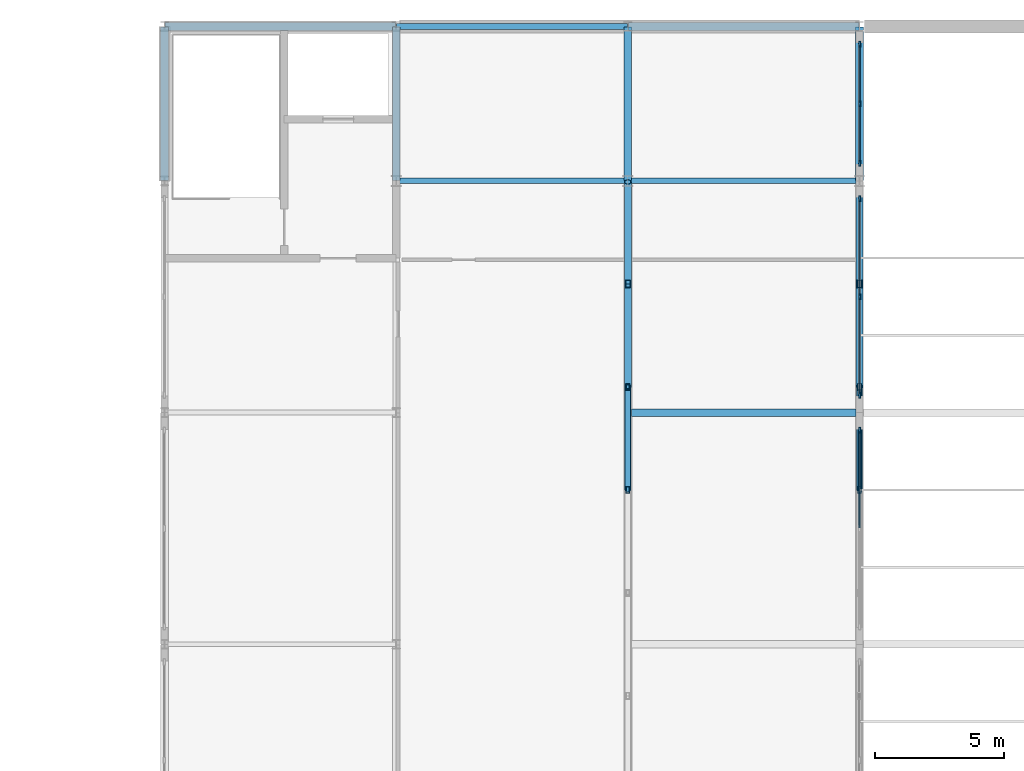
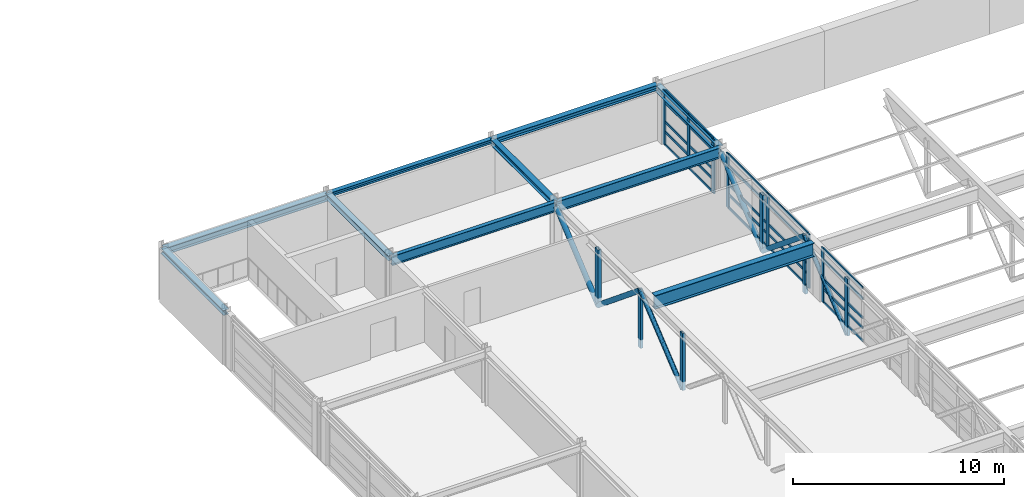
# One storey, part 48 of 91: 44 members, 10 beams, 3 elements without a shape of their own.
"""IFC4 building model written with IfcOpenShell, lengths in metres."""

from ifc_helpers import new_model, si_unit, direction, frame, origin, origin_2d, place, context, subcontext, project, spatial, rectangle, hollow_rectangle, hollow_circle, i_section, extrude, material, material_profile, profile_set, type_object, element, aggregate, save


model = new_model("IFC4")

# Units and contexts
model_context = context("Model", 3, precision=1e-05, world=origin(), true_north=direction((0.0, 1.0)))
body_context = subcontext(model_context, "Body", "Model", "MODEL_VIEW")
ifc_project = project(units=[si_unit("LENGTHUNIT", "METRE"), si_unit("AREAUNIT", "SQUARE_METRE"), si_unit("VOLUMEUNIT", "CUBIC_METRE"), si_unit("PLANEANGLEUNIT", "RADIAN"), si_unit("MASSUNIT", "GRAM", prefix="KILO")], contexts=[model_context])

# Site, building, storey
site_placement = place(None, origin())
site = spatial("IfcSite", under=ifc_project, at=site_placement, CompositionType="ELEMENT")
building_placement = place(site_placement, origin())
building = spatial("IfcBuilding", under=site, at=building_placement, Name="Palais des Congres Ocreval", CompositionType="ELEMENT")
storey_placement = place(building_placement, frame((0.0, 0.0, 8.159912109375)))
storey = spatial("IfcBuildingStorey", under=building, at=storey_placement, Name="L02", CompositionType="ELEMENT", Elevation=8.159912109375)

# Beams
ifc_material_1 = material(Name="Steel S355", Category="steel")
ifc_material_profile_1 = material_profile(ifc_material_1, i_section(OverallWidth=0.2099609375, OverallDepth=0.550048828125, WebThickness=0.010986328125, FlangeThickness=0.01708984375, at=origin_2d()), Name="IPE 550")
ifc_profile_set_1 = profile_set([ifc_material_profile_1], Name="Steel S355")
beam_type_1 = type_object("IfcBeamType", Name="Composite Beam IPE 550 Steel S355", PredefinedType="BEAM", material=ifc_profile_set_1)
beam_1_placement = place(storey_placement, frame((108.02001953125, 108.0, 2.8251953125), z_axis=(1.0, 0.0, 0.0), x_axis=(0.0, 1.0, 0.0)))
element("IfcBeam", 1, at=beam_1_placement, inside=storey, type_object=beam_type_1, Name="Beam B05 L02", PredefinedType="BEAM", context=body_context, shape_type="SweptSolid", body=[
    extrude(i_section(OverallWidth=0.2099609375, OverallDepth=0.550048828125, WebThickness=0.010986328125, FlangeThickness=0.01708984375, at=origin_2d()), origin(), (0.0, 0.0, 1.0), 8.9599609375),
])
ifc_material_profile_2 = material_profile(ifc_material_1, i_section(OverallWidth=0.219970703125, OverallDepth=0.60009765625, WebThickness=0.011962890625, FlangeThickness=0.01904296875, at=origin_2d()), Name="IPE 600")
ifc_profile_set_2 = profile_set([ifc_material_profile_2], Name="Steel S355")
beam_type_2 = type_object("IfcBeamType", Name="Composite Beam IPE 600 Steel S355", PredefinedType="BEAM", material=ifc_profile_set_2)
beam_2_placement = place(storey_placement, frame((117.02001953125, 108.0, 2.800048828125), z_axis=(1.0, 0.0, 0.0), x_axis=(0.0, 1.0, 0.0)))
element("IfcBeam", 2, at=beam_2_placement, inside=storey, type_object=beam_type_2, Name="Beam B06 L02", PredefinedType="BEAM", context=body_context, shape_type="SweptSolid", body=[
    extrude(i_section(OverallWidth=0.219970703125, OverallDepth=0.60009765625, WebThickness=0.011962890625, FlangeThickness=0.01904296875, at=origin_2d()), origin(), (0.0, 0.0, 1.0), 8.9599609375),
])

# Curtain wall, members
ifc_material_2 = material(Name="Anodized bronze aluminium and low-E glass", Category="glass")
curtain_wall_type_1 = type_object("IfcCurtainWallType", Name="Unitised Curtain Wall 4900x4060", PredefinedType="USERDEFINED", material=ifc_material_2)
curtain_wall_1_placement = place(storey_placement, origin())
curtain_wall_1 = element("IfcCurtainWall", 3, at=curtain_wall_1_placement, inside=storey, type_object=curtain_wall_type_1, Name="Unitised Curtain Wall CW07 L02", ObjectType="UNITISED CURTAIN WALL", PredefinedType="USERDEFINED")
ifc_material_3 = material(Name="Anodized bronze aluminium", Category="aluminium")
ifc_material_profile_3 = material_profile(ifc_material_3, rectangle(XDim=0.074951171875, YDim=0.239990234375, at=origin_2d()), Name="ALU 75x240")
ifc_profile_set_3 = profile_set([ifc_material_profile_3], Name="Anodized bronze aluminium")
member_type_1 = type_object("IfcMemberType", Name="Curtain Wall Mullion ALU 75x240", PredefinedType="MULLION", material=ifc_profile_set_3)
member_1_placement = place(storey_placement, frame((126.0, 113.3125, 0.0), z_axis=(0.0, 0.0, 1.0), x_axis=(1.0, 0.0, 0.0)))
member_1 = element("IfcMember", 4, at=member_1_placement, type_object=member_type_1, Name="Curtain Wall Mullion ML01", PredefinedType="MULLION", context=body_context, shape_type="SweptSolid", body=[
    extrude(rectangle(XDim=0.074951171875, YDim=0.239990234375, at=origin_2d()), origin(), (0.0, 0.0, 1.0), 3.110107421875),
])
member_2_placement = place(storey_placement, frame((126.0, 111.0, 0.0), z_axis=(0.0, 0.0, 1.0), x_axis=(1.0, 0.0, 0.0)))
member_2 = element("IfcMember", 5, at=member_2_placement, type_object=member_type_1, Name="Curtain Wall Mullion ML01", PredefinedType="MULLION", context=body_context, shape_type="SweptSolid", body=[
    extrude(rectangle(XDim=0.074951171875, YDim=0.239990234375, at=origin_2d()), origin(), (0.0, 0.0, 1.0), 3.110107421875),
])
member_3_placement = place(storey_placement, frame((126.0, 108.6875, 0.0), z_axis=(0.0, 0.0, 1.0), x_axis=(1.0, 0.0, 0.0)))
member_3 = element("IfcMember", 6, at=member_3_placement, type_object=member_type_1, Name="Curtain Wall Mullion ML01", PredefinedType="MULLION", context=body_context, shape_type="SweptSolid", body=[
    extrude(rectangle(XDim=0.074951171875, YDim=0.239990234375, at=origin_2d()), origin(), (0.0, 0.0, 1.0), 3.110107421875),
])

curtain_wall_type_2 = type_object("IfcCurtainWallType", Name="Unitised Curtain Wall 7900x3120", PredefinedType="USERDEFINED", material=ifc_material_2)
curtain_wall_2_placement = place(storey_placement, origin())
curtain_wall_2 = element("IfcCurtainWall", 7, at=curtain_wall_2_placement, inside=storey, type_object=curtain_wall_type_2, Name="Unitised Curtain Wall CW03 L02", ObjectType="UNITISED CURTAIN WALL", PredefinedType="USERDEFINED")
member_4_placement = place(storey_placement, frame((126.0, 107.3125, 0.0), z_axis=(0.0, 0.0, 1.0), x_axis=(1.0, 0.0, 0.0)))
member_4 = element("IfcMember", 8, at=member_4_placement, type_object=member_type_1, Name="Curtain Wall Mullion ML01", PredefinedType="MULLION", context=body_context, shape_type="SweptSolid", body=[
    extrude(rectangle(XDim=0.074951171875, YDim=0.239990234375, at=origin_2d()), origin(), (0.0, 0.0, 1.0), 3.110107421875),
])
member_5_placement = place(storey_placement, frame((126.0, 103.5, 0.0), z_axis=(0.0, 0.0, 1.0), x_axis=(1.0, 0.0, 0.0)))
member_5 = element("IfcMember", 9, at=member_5_placement, type_object=member_type_1, Name="Curtain Wall Mullion ML01", PredefinedType="MULLION", context=body_context, shape_type="SweptSolid", body=[
    extrude(rectangle(XDim=0.074951171875, YDim=0.239990234375, at=origin_2d()), origin(), (0.0, 0.0, 1.0), 3.110107421875),
])
member_6_placement = place(storey_placement, frame((126.0, 99.6875, 0.0), z_axis=(0.0, 0.0, 1.0), x_axis=(1.0, 0.0, 0.0)))
member_6 = element("IfcMember", 10, at=member_6_placement, type_object=member_type_1, Name="Curtain Wall Mullion ML01", PredefinedType="MULLION", context=body_context, shape_type="SweptSolid", body=[
    extrude(rectangle(XDim=0.074951171875, YDim=0.239990234375, at=origin_2d()), origin(), (0.0, 0.0, 1.0), 3.110107421875),
])

# Curtain wall, member
curtain_wall_3_placement = place(storey_placement, origin())
curtain_wall_3 = element("IfcCurtainWall", 11, at=curtain_wall_3_placement, inside=storey, type_object=curtain_wall_type_2, Name="Unitised Curtain Wall CW03 L02", ObjectType="UNITISED CURTAIN WALL", PredefinedType="USERDEFINED")
member_7_placement = place(storey_placement, frame((126.0, 98.3125, 0.0), z_axis=(0.0, 0.0, 1.0), x_axis=(1.0, 0.0, 0.0)))
member_7 = element("IfcMember", 12, at=member_7_placement, type_object=member_type_1, Name="Curtain Wall Mullion ML01", PredefinedType="MULLION", context=body_context, shape_type="SweptSolid", body=[
    extrude(rectangle(XDim=0.074951171875, YDim=0.239990234375, at=origin_2d()), origin(), (0.0, 0.0, 1.0), 3.110107421875),
])

# Member
ifc_material_profile_4 = material_profile(ifc_material_3, rectangle(XDim=0.06005859375, YDim=0.14990234375, at=origin_2d()), Name="ALU 60x150")
ifc_profile_set_4 = profile_set([ifc_material_profile_4], Name="Anodized bronze aluminium")
member_type_2 = type_object("IfcMemberType", Name="Curtain Wall Transom ALU 60x150", PredefinedType="USERDEFINED", material=ifc_profile_set_4)
member_8_placement = place(storey_placement, frame((126.0, 113.27490234375, 0.030029296875), z_axis=(0.0, -1.0, 0.0), x_axis=(1.0, 0.0, 0.0)))
member_8 = element("IfcMember", 13, at=member_8_placement, type_object=member_type_2, Name="Curtain Wall Transom TR01", ObjectType="TRANSOM", PredefinedType="USERDEFINED", context=body_context, shape_type="SweptSolid", body=[
    extrude(rectangle(XDim=0.06005859375, YDim=0.14990234375, at=origin_2d()), origin(), (0.0, 0.0, 1.0), 2.2373046875),
])

member_9_placement = place(storey_placement, frame((126.0, 113.27490234375, 0.780029296875), z_axis=(0.0, -1.0, 0.0), x_axis=(1.0, 0.0, 0.0)))
member_9 = element("IfcMember", 14, at=member_9_placement, type_object=member_type_2, Name="Curtain Wall Transom TR01", ObjectType="TRANSOM", PredefinedType="USERDEFINED", context=body_context, shape_type="SweptSolid", body=[
    extrude(rectangle(XDim=0.06005859375, YDim=0.14990234375, at=origin_2d()), origin(), (0.0, 0.0, 1.0), 2.2373046875),
])

member_10_placement = place(storey_placement, frame((126.0, 113.27490234375, 1.35302734375), z_axis=(0.0, -1.0, 0.0), x_axis=(1.0, 0.0, 0.0)))
member_10 = element("IfcMember", 15, at=member_10_placement, type_object=member_type_2, Name="Curtain Wall Transom TR01", ObjectType="TRANSOM", PredefinedType="USERDEFINED", context=body_context, shape_type="SweptSolid", body=[
    extrude(rectangle(XDim=0.06005859375, YDim=0.14990234375, at=origin_2d()), origin(), (0.0, 0.0, 1.0), 2.2373046875),
])

member_11_placement = place(storey_placement, frame((126.0, 113.27490234375, 2.460205078125), z_axis=(0.0, -1.0, 0.0), x_axis=(1.0, 0.0, 0.0)))
member_11 = element("IfcMember", 16, at=member_11_placement, type_object=member_type_2, Name="Curtain Wall Transom TR01", ObjectType="TRANSOM", PredefinedType="USERDEFINED", context=body_context, shape_type="SweptSolid", body=[
    extrude(rectangle(XDim=0.06005859375, YDim=0.14990234375, at=origin_2d()), origin(), (0.0, 0.0, 1.0), 2.2373046875),
])

member_12_placement = place(storey_placement, frame((126.0, 113.27490234375, 3.080078125), z_axis=(0.0, -1.0, 0.0), x_axis=(1.0, 0.0, 0.0)))
member_12 = element("IfcMember", 17, at=member_12_placement, type_object=member_type_2, Name="Curtain Wall Transom TR01", ObjectType="TRANSOM", PredefinedType="USERDEFINED", context=body_context, shape_type="SweptSolid", body=[
    extrude(rectangle(XDim=0.06005859375, YDim=0.14990234375, at=origin_2d()), origin(), (0.0, 0.0, 1.0), 2.2373046875),
])

member_13_placement = place(storey_placement, frame((126.0, 110.96240234375, 0.030029296875), z_axis=(0.0, -1.0, 0.0), x_axis=(1.0, 0.0, 0.0)))
member_13 = element("IfcMember", 18, at=member_13_placement, type_object=member_type_2, Name="Curtain Wall Transom TR01", ObjectType="TRANSOM", PredefinedType="USERDEFINED", context=body_context, shape_type="SweptSolid", body=[
    extrude(rectangle(XDim=0.06005859375, YDim=0.14990234375, at=origin_2d()), origin(), (0.0, 0.0, 1.0), 2.2373046875),
])

member_14_placement = place(storey_placement, frame((126.0, 110.96240234375, 0.780029296875), z_axis=(0.0, -1.0, 0.0), x_axis=(1.0, 0.0, 0.0)))
member_14 = element("IfcMember", 19, at=member_14_placement, type_object=member_type_2, Name="Curtain Wall Transom TR01", ObjectType="TRANSOM", PredefinedType="USERDEFINED", context=body_context, shape_type="SweptSolid", body=[
    extrude(rectangle(XDim=0.06005859375, YDim=0.14990234375, at=origin_2d()), origin(), (0.0, 0.0, 1.0), 2.2373046875),
])

member_15_placement = place(storey_placement, frame((126.0, 110.96240234375, 1.35302734375), z_axis=(0.0, -1.0, 0.0), x_axis=(1.0, 0.0, 0.0)))
member_15 = element("IfcMember", 20, at=member_15_placement, type_object=member_type_2, Name="Curtain Wall Transom TR01", ObjectType="TRANSOM", PredefinedType="USERDEFINED", context=body_context, shape_type="SweptSolid", body=[
    extrude(rectangle(XDim=0.06005859375, YDim=0.14990234375, at=origin_2d()), origin(), (0.0, 0.0, 1.0), 2.2373046875),
])

member_16_placement = place(storey_placement, frame((126.0, 110.96240234375, 2.460205078125), z_axis=(0.0, -1.0, 0.0), x_axis=(1.0, 0.0, 0.0)))
member_16 = element("IfcMember", 21, at=member_16_placement, type_object=member_type_2, Name="Curtain Wall Transom TR01", ObjectType="TRANSOM", PredefinedType="USERDEFINED", context=body_context, shape_type="SweptSolid", body=[
    extrude(rectangle(XDim=0.06005859375, YDim=0.14990234375, at=origin_2d()), origin(), (0.0, 0.0, 1.0), 2.2373046875),
])

member_17_placement = place(storey_placement, frame((126.0, 110.96240234375, 3.080078125), z_axis=(0.0, -1.0, 0.0), x_axis=(1.0, 0.0, 0.0)))
member_17 = element("IfcMember", 22, at=member_17_placement, type_object=member_type_2, Name="Curtain Wall Transom TR01", ObjectType="TRANSOM", PredefinedType="USERDEFINED", context=body_context, shape_type="SweptSolid", body=[
    extrude(rectangle(XDim=0.06005859375, YDim=0.14990234375, at=origin_2d()), origin(), (0.0, 0.0, 1.0), 2.2373046875),
])

aggregate(curtain_wall_1, [member_1, member_2, member_3, member_8, member_9, member_10, member_11, member_12, member_13, member_14, member_15, member_16, member_17])

member_18_placement = place(storey_placement, frame((126.0, 107.27490234375, 0.030029296875), z_axis=(0.0, -1.0, 0.0), x_axis=(1.0, 0.0, 0.0)))
member_18 = element("IfcMember", 23, at=member_18_placement, type_object=member_type_2, Name="Curtain Wall Transom TR01", ObjectType="TRANSOM", PredefinedType="USERDEFINED", context=body_context, shape_type="SweptSolid", body=[
    extrude(rectangle(XDim=0.06005859375, YDim=0.14990234375, at=origin_2d()), origin(), (0.0, 0.0, 1.0), 3.7373046875),
])

member_19_placement = place(storey_placement, frame((126.0, 107.27490234375, 0.780029296875), z_axis=(0.0, -1.0, 0.0), x_axis=(1.0, 0.0, 0.0)))
member_19 = element("IfcMember", 24, at=member_19_placement, type_object=member_type_2, Name="Curtain Wall Transom TR01", ObjectType="TRANSOM", PredefinedType="USERDEFINED", context=body_context, shape_type="SweptSolid", body=[
    extrude(rectangle(XDim=0.06005859375, YDim=0.14990234375, at=origin_2d()), origin(), (0.0, 0.0, 1.0), 3.7373046875),
])

member_20_placement = place(storey_placement, frame((126.0, 107.27490234375, 1.35302734375), z_axis=(0.0, -1.0, 0.0), x_axis=(1.0, 0.0, 0.0)))
member_20 = element("IfcMember", 25, at=member_20_placement, type_object=member_type_2, Name="Curtain Wall Transom TR01", ObjectType="TRANSOM", PredefinedType="USERDEFINED", context=body_context, shape_type="SweptSolid", body=[
    extrude(rectangle(XDim=0.06005859375, YDim=0.14990234375, at=origin_2d()), origin(), (0.0, 0.0, 1.0), 3.7373046875),
])

member_21_placement = place(storey_placement, frame((126.0, 107.27490234375, 2.460205078125), z_axis=(0.0, -1.0, 0.0), x_axis=(1.0, 0.0, 0.0)))
member_21 = element("IfcMember", 26, at=member_21_placement, type_object=member_type_2, Name="Curtain Wall Transom TR01", ObjectType="TRANSOM", PredefinedType="USERDEFINED", context=body_context, shape_type="SweptSolid", body=[
    extrude(rectangle(XDim=0.06005859375, YDim=0.14990234375, at=origin_2d()), origin(), (0.0, 0.0, 1.0), 3.7373046875),
])

member_22_placement = place(storey_placement, frame((126.0, 107.27490234375, 3.080078125), z_axis=(0.0, -1.0, 0.0), x_axis=(1.0, 0.0, 0.0)))
member_22 = element("IfcMember", 27, at=member_22_placement, type_object=member_type_2, Name="Curtain Wall Transom TR01", ObjectType="TRANSOM", PredefinedType="USERDEFINED", context=body_context, shape_type="SweptSolid", body=[
    extrude(rectangle(XDim=0.06005859375, YDim=0.14990234375, at=origin_2d()), origin(), (0.0, 0.0, 1.0), 3.7373046875),
])

member_23_placement = place(storey_placement, frame((126.0, 103.46240234375, 0.030029296875), z_axis=(0.0, -1.0, 0.0), x_axis=(1.0, 0.0, 0.0)))
member_23 = element("IfcMember", 28, at=member_23_placement, type_object=member_type_2, Name="Curtain Wall Transom TR01", ObjectType="TRANSOM", PredefinedType="USERDEFINED", context=body_context, shape_type="SweptSolid", body=[
    extrude(rectangle(XDim=0.06005859375, YDim=0.14990234375, at=origin_2d()), origin(), (0.0, 0.0, 1.0), 3.7373046875),
])

member_24_placement = place(storey_placement, frame((126.0, 103.46240234375, 0.780029296875), z_axis=(0.0, -1.0, 0.0), x_axis=(1.0, 0.0, 0.0)))
member_24 = element("IfcMember", 29, at=member_24_placement, type_object=member_type_2, Name="Curtain Wall Transom TR01", ObjectType="TRANSOM", PredefinedType="USERDEFINED", context=body_context, shape_type="SweptSolid", body=[
    extrude(rectangle(XDim=0.06005859375, YDim=0.14990234375, at=origin_2d()), origin(), (0.0, 0.0, 1.0), 3.7373046875),
])

member_25_placement = place(storey_placement, frame((126.0, 103.46240234375, 1.35302734375), z_axis=(0.0, -1.0, 0.0), x_axis=(1.0, 0.0, 0.0)))
member_25 = element("IfcMember", 30, at=member_25_placement, type_object=member_type_2, Name="Curtain Wall Transom TR01", ObjectType="TRANSOM", PredefinedType="USERDEFINED", context=body_context, shape_type="SweptSolid", body=[
    extrude(rectangle(XDim=0.06005859375, YDim=0.14990234375, at=origin_2d()), origin(), (0.0, 0.0, 1.0), 3.7373046875),
])

member_26_placement = place(storey_placement, frame((126.0, 103.46240234375, 2.460205078125), z_axis=(0.0, -1.0, 0.0), x_axis=(1.0, 0.0, 0.0)))
member_26 = element("IfcMember", 31, at=member_26_placement, type_object=member_type_2, Name="Curtain Wall Transom TR01", ObjectType="TRANSOM", PredefinedType="USERDEFINED", context=body_context, shape_type="SweptSolid", body=[
    extrude(rectangle(XDim=0.06005859375, YDim=0.14990234375, at=origin_2d()), origin(), (0.0, 0.0, 1.0), 3.7373046875),
])

member_27_placement = place(storey_placement, frame((126.0, 103.46240234375, 3.080078125), z_axis=(0.0, -1.0, 0.0), x_axis=(1.0, 0.0, 0.0)))
member_27 = element("IfcMember", 32, at=member_27_placement, type_object=member_type_2, Name="Curtain Wall Transom TR01", ObjectType="TRANSOM", PredefinedType="USERDEFINED", context=body_context, shape_type="SweptSolid", body=[
    extrude(rectangle(XDim=0.06005859375, YDim=0.14990234375, at=origin_2d()), origin(), (0.0, 0.0, 1.0), 3.7373046875),
])

aggregate(curtain_wall_2, [member_4, member_5, member_6, member_18, member_19, member_20, member_21, member_22, member_23, member_24, member_25, member_26, member_27])

member_28_placement = place(storey_placement, frame((126.0, 98.27490234375, 0.030029296875), z_axis=(0.0, -1.0, 0.0), x_axis=(1.0, 0.0, 0.0)))
member_28 = element("IfcMember", 33, at=member_28_placement, type_object=member_type_2, Name="Curtain Wall Transom TR01", ObjectType="TRANSOM", PredefinedType="USERDEFINED", context=body_context, shape_type="SweptSolid", body=[
    extrude(rectangle(XDim=0.06005859375, YDim=0.14990234375, at=origin_2d()), origin(), (0.0, 0.0, 1.0), 3.7373046875),
])

member_29_placement = place(storey_placement, frame((126.0, 98.27490234375, 0.780029296875), z_axis=(0.0, -1.0, 0.0), x_axis=(1.0, 0.0, 0.0)))
member_29 = element("IfcMember", 34, at=member_29_placement, type_object=member_type_2, Name="Curtain Wall Transom TR01", ObjectType="TRANSOM", PredefinedType="USERDEFINED", context=body_context, shape_type="SweptSolid", body=[
    extrude(rectangle(XDim=0.06005859375, YDim=0.14990234375, at=origin_2d()), origin(), (0.0, 0.0, 1.0), 3.7373046875),
])

member_30_placement = place(storey_placement, frame((126.0, 98.27490234375, 1.35302734375), z_axis=(0.0, -1.0, 0.0), x_axis=(1.0, 0.0, 0.0)))
member_30 = element("IfcMember", 35, at=member_30_placement, type_object=member_type_2, Name="Curtain Wall Transom TR01", ObjectType="TRANSOM", PredefinedType="USERDEFINED", context=body_context, shape_type="SweptSolid", body=[
    extrude(rectangle(XDim=0.06005859375, YDim=0.14990234375, at=origin_2d()), origin(), (0.0, 0.0, 1.0), 3.7373046875),
])

member_31_placement = place(storey_placement, frame((126.0, 98.27490234375, 2.460205078125), z_axis=(0.0, -1.0, 0.0), x_axis=(1.0, 0.0, 0.0)))
member_31 = element("IfcMember", 36, at=member_31_placement, type_object=member_type_2, Name="Curtain Wall Transom TR01", ObjectType="TRANSOM", PredefinedType="USERDEFINED", context=body_context, shape_type="SweptSolid", body=[
    extrude(rectangle(XDim=0.06005859375, YDim=0.14990234375, at=origin_2d()), origin(), (0.0, 0.0, 1.0), 3.7373046875),
])

member_32_placement = place(storey_placement, frame((126.0, 98.27490234375, 3.080078125), z_axis=(0.0, -1.0, 0.0), x_axis=(1.0, 0.0, 0.0)))
member_32 = element("IfcMember", 37, at=member_32_placement, type_object=member_type_2, Name="Curtain Wall Transom TR01", ObjectType="TRANSOM", PredefinedType="USERDEFINED", context=body_context, shape_type="SweptSolid", body=[
    extrude(rectangle(XDim=0.06005859375, YDim=0.14990234375, at=origin_2d()), origin(), (0.0, 0.0, 1.0), 3.7373046875),
])

aggregate(curtain_wall_3, [member_7, member_28, member_29, member_30, member_31, member_32])

# Members
ifc_material_profile_5 = material_profile(ifc_material_1, hollow_circle(Radius=0.122314453125, WallThickness=0.012451171875, at=origin_2d()), Name="CHS 244.5x12.5")
ifc_profile_set_5 = profile_set([ifc_material_profile_5], Name="Steel S355")
member_type_3 = type_object("IfcMemberType", Name="Diagonal Brace CHS 244.5x12.5 Steel S355", PredefinedType="BRACE", material=ifc_profile_set_5)
for number, where, z_axis, x_axis, name in (
    (38, (117.0, 96.0, -0.5), (0.0, 0.772316531173, 0.635237889044), (-1.0, 0.0, 0.0), "Transfer Truss Web Diagonal V2-117-7"),
    (39, (126.0, 96.0, -0.5), (0.0, 0.772316531173, 0.635237889044), (-1.0, 0.0, 0.0), "Transfer Truss Web Diagonal V2-126-7"),
):
    element("IfcMember", number, at=place(storey_placement, frame(where, z_axis=z_axis, x_axis=x_axis)), inside=storey, type_object=member_type_3, Name=name, PredefinedType="BRACE", context=body_context, shape_type="SweptSolid", body=[
        extrude(hollow_circle(Radius=0.122314453125, WallThickness=0.012451171875, at=origin_2d()), origin(), (0.0, 0.0, 1.0), 5.17919921875),
    ])
ifc_material_profile_6 = material_profile(ifc_material_1, hollow_circle(Radius=0.136474609375, WallThickness=0.01611328125, at=origin_2d()), Name="CHS 273x16")
ifc_profile_set_6 = profile_set([ifc_material_profile_6], Name="Steel S355")
member_type_4 = type_object("IfcMemberType", Name="Diagonal Brace CHS 273x16 Steel S355", PredefinedType="BRACE", material=ifc_profile_set_6)
member_33_placement = place(storey_placement, frame((117.0, 100.0, 2.7900390625), z_axis=(0.0, 0.772316531173, -0.635237889044), x_axis=(-1.0, 0.0, 0.0)))
element("IfcMember", 40, at=member_33_placement, inside=storey, type_object=member_type_4, Name="Transfer Truss Web Diagonal V2-117-8", PredefinedType="BRACE", context=body_context, shape_type="SweptSolid", body=[
    extrude(hollow_circle(Radius=0.136474609375, WallThickness=0.01611328125, at=origin_2d()), origin(), (0.0, 0.0, 1.0), 5.17919921875),
])
member_34_placement = place(storey_placement, frame((117.0, 104.0, -0.5), z_axis=(0.0, 0.76916885685, 0.639045592781), x_axis=(-1.0, 0.0, 0.0)))
element("IfcMember", 41, at=member_34_placement, inside=storey, type_object=member_type_4, Name="Transfer Truss Web Diagonal V2-117-9", PredefinedType="BRACE", context=body_context, shape_type="SweptSolid", body=[
    extrude(hollow_circle(Radius=0.136474609375, WallThickness=0.01611328125, at=origin_2d()), origin(), (0.0, 0.0, 1.0), 5.1484375),
])
member_35_placement = place(storey_placement, frame((126.0, 100.0, 2.7900390625), z_axis=(0.0, 0.772316531173, -0.635237889044), x_axis=(-1.0, 0.0, 0.0)))
element("IfcMember", 42, at=member_35_placement, inside=storey, type_object=member_type_4, Name="Transfer Truss Web Diagonal V2-126-8", PredefinedType="BRACE", context=body_context, shape_type="SweptSolid", body=[
    extrude(hollow_circle(Radius=0.136474609375, WallThickness=0.01611328125, at=origin_2d()), origin(), (0.0, 0.0, 1.0), 5.17919921875),
])
member_36_placement = place(storey_placement, frame((126.0, 104.0, -0.5), z_axis=(0.0, 0.76916885685, 0.639045592781), x_axis=(-1.0, 0.0, 0.0)))
element("IfcMember", 43, at=member_36_placement, inside=storey, type_object=member_type_4, Name="Transfer Truss Web Diagonal V2-126-9", PredefinedType="BRACE", context=body_context, shape_type="SweptSolid", body=[
    extrude(hollow_circle(Radius=0.136474609375, WallThickness=0.01611328125, at=origin_2d()), origin(), (0.0, 0.0, 1.0), 5.1484375),
])

# Beams
ifc_material_profile_7 = material_profile(ifc_material_1, i_section(OverallWidth=0.300048828125, OverallDepth=0.7900390625, WebThickness=0.014892578125, FlangeThickness=0.028076171875, at=origin_2d()), Name="HEA 800")
ifc_profile_set_7 = profile_set([ifc_material_profile_7], Name="Steel S355")
beam_type_3 = type_object("IfcBeamType", Name="Long-Span Girder HEA 800 Steel S355", PredefinedType="BEAM", material=ifc_profile_set_7)
beam_3_placement = place(storey_placement, frame((117.14794921875, 99.0, 2.710205078125), z_axis=(1.0, 0.0, 0.0), x_axis=(0.0, 1.0, 0.0)))
element("IfcBeam", 44, at=beam_3_placement, inside=storey, type_object=beam_type_3, Name="Ballroom Truss Tie Girder B15", PredefinedType="BEAM", context=body_context, shape_type="SweptSolid", body=[
    extrude(i_section(OverallWidth=0.300048828125, OverallDepth=0.7900390625, WebThickness=0.014892578125, FlangeThickness=0.028076171875, at=origin_2d()), origin(), (0.0, 0.0, 1.0), 8.7041015625),
])
ifc_material_profile_8 = material_profile(ifc_material_1, i_section(OverallWidth=0.239990234375, OverallDepth=0.22998046875, WebThickness=0.007568359375, FlangeThickness=0.011962890625, at=origin_2d()), Name="HEA 240")
ifc_profile_set_8 = profile_set([ifc_material_profile_8], Name="Steel S355")
beam_type_4 = type_object("IfcBeamType", Name="Perimeter Spandrel HEA 240 Steel S355", PredefinedType="SPANDREL", material=ifc_profile_set_8)
beam_4_placement = place(storey_placement, frame((108.02001953125, 114.0, 2.985107421875), z_axis=(1.0, 0.0, 0.0), x_axis=(0.0, 1.0, 0.0)))
element("IfcBeam", 45, at=beam_4_placement, inside=storey, type_object=beam_type_4, Name="Beam SP01 L02", PredefinedType="SPANDREL", context=body_context, shape_type="SweptSolid", body=[
    extrude(i_section(OverallWidth=0.239990234375, OverallDepth=0.22998046875, WebThickness=0.007568359375, FlangeThickness=0.011962890625, at=origin_2d()), origin(), (0.0, 0.0, 1.0), 8.9599609375),
])
ifc_material_profile_9 = material_profile(ifc_material_1, i_section(OverallWidth=0.300048828125, OverallDepth=0.300048828125, WebThickness=0.010986328125, FlangeThickness=0.01904296875, at=origin_2d()), Name="HEB 300")
ifc_profile_set_9 = profile_set([ifc_material_profile_9], Name="Steel S355")
beam_type_5 = type_object("IfcBeamType", Name="Perimeter Spandrel HEB 300 Steel S355", PredefinedType="SPANDREL", material=ifc_profile_set_9)
for number, where, z_axis, x_axis, name in (
    (46, (99.0, 108.02001953125, 2.9501953125), (0.0, 1.0, 0.0), (-1.0, 0.0, 0.0), "Girder SP02 L02"),
    (47, (108.0, 108.02001953125, 2.9501953125), (0.0, 1.0, 0.0), (-1.0, 0.0, 0.0), "Girder SP02 L02"),
):
    element("IfcBeam", number, at=place(storey_placement, frame(where, z_axis=z_axis, x_axis=x_axis)), inside=storey, type_object=beam_type_5, Name=name, PredefinedType="SPANDREL", context=body_context, shape_type="SweptSolid", body=[
        extrude(i_section(OverallWidth=0.300048828125, OverallDepth=0.300048828125, WebThickness=0.010986328125, FlangeThickness=0.01904296875, at=origin_2d()), origin(), (0.0, 0.0, 1.0), 5.9599609375),
    ])
beam_5_placement = place(storey_placement, frame((117.02001953125, 114.0, 2.9501953125), z_axis=(1.0, 0.0, 0.0), x_axis=(0.0, 1.0, 0.0)))
element("IfcBeam", 48, at=beam_5_placement, inside=storey, type_object=beam_type_5, Name="Beam SP02 L02", PredefinedType="SPANDREL", context=body_context, shape_type="SweptSolid", body=[
    extrude(i_section(OverallWidth=0.300048828125, OverallDepth=0.300048828125, WebThickness=0.010986328125, FlangeThickness=0.01904296875, at=origin_2d()), origin(), (0.0, 0.0, 1.0), 8.9599609375),
])
ifc_material_profile_10 = material_profile(ifc_material_1, i_section(OverallWidth=0.300048828125, OverallDepth=0.39990234375, WebThickness=0.013427734375, FlangeThickness=0.02392578125, at=origin_2d()), Name="HEB 400")
ifc_profile_set_10 = profile_set([ifc_material_profile_10], Name="Steel S355")
beam_type_6 = type_object("IfcBeamType", Name="Perimeter Spandrel HEB 400 Steel S355", PredefinedType="SPANDREL", material=ifc_profile_set_10)
beam_6_placement = place(storey_placement, frame((99.02001953125, 114.0, 2.900146484375), z_axis=(1.0, 0.0, 0.0), x_axis=(0.0, 1.0, 0.0)))
element("IfcBeam", 49, at=beam_6_placement, inside=storey, type_object=beam_type_6, Name="Beam SP04 L02", PredefinedType="SPANDREL", context=body_context, shape_type="SweptSolid", body=[
    extrude(i_section(OverallWidth=0.300048828125, OverallDepth=0.39990234375, WebThickness=0.013427734375, FlangeThickness=0.02392578125, at=origin_2d()), origin(), (0.0, 0.0, 1.0), 8.9599609375),
])
ifc_material_profile_11 = material_profile(ifc_material_1, i_section(OverallWidth=0.300048828125, OverallDepth=0.330078125, WebThickness=0.009521484375, FlangeThickness=0.0166015625, at=origin_2d()), Name="HEA 340")
ifc_profile_set_11 = profile_set([ifc_material_profile_11], Name="Steel S355")
beam_type_7 = type_object("IfcBeamType", Name="Primary Beam HEA 340 Steel S355", PredefinedType="BEAM", material=ifc_profile_set_11)
beam_7_placement = place(storey_placement, frame((117.0, 108.02001953125, 2.93505859375), z_axis=(0.0, 1.0, 0.0), x_axis=(-1.0, 0.0, 0.0)))
element("IfcBeam", 50, at=beam_7_placement, inside=storey, type_object=beam_type_7, Name="Girder B09 L02", PredefinedType="BEAM", context=body_context, shape_type="SweptSolid", body=[
    extrude(i_section(OverallWidth=0.300048828125, OverallDepth=0.330078125, WebThickness=0.009521484375, FlangeThickness=0.0166015625, at=origin_2d()), origin(), (0.0, 0.0, 1.0), 5.9599609375),
])
ifc_material_profile_12 = material_profile(ifc_material_1, i_section(OverallWidth=0.300048828125, OverallDepth=0.389892578125, WebThickness=0.010986328125, FlangeThickness=0.01904296875, at=origin_2d()), Name="HEA 400")
ifc_profile_set_12 = profile_set([ifc_material_profile_12], Name="Steel S355")
beam_type_8 = type_object("IfcBeamType", Name="Primary Beam HEA 400 Steel S355", PredefinedType="BEAM", material=ifc_profile_set_12)
beam_8_placement = place(storey_placement, frame((126.0, 108.02001953125, 2.905029296875), z_axis=(0.0, 1.0, 0.0), x_axis=(-1.0, 0.0, 0.0)))
element("IfcBeam", 51, at=beam_8_placement, inside=storey, type_object=beam_type_8, Name="Girder B10 L02", PredefinedType="BEAM", context=body_context, shape_type="SweptSolid", body=[
    extrude(i_section(OverallWidth=0.300048828125, OverallDepth=0.389892578125, WebThickness=0.010986328125, FlangeThickness=0.01904296875, at=origin_2d()), origin(), (0.0, 0.0, 1.0), 5.9599609375),
])

# Members
ifc_material_profile_13 = material_profile(ifc_material_1, hollow_rectangle(XDim=0.14990234375, YDim=0.25, WallThickness=0.012451171875, at=origin_2d()), Name="RHS 250x150x12.5")
ifc_profile_set_13 = profile_set([ifc_material_profile_13], Name="Steel S355")
member_type_5 = type_object("IfcMemberType", Name="Truss Strut RHS 250x150x12.5 Steel S355", PredefinedType="STRUT", material=ifc_profile_set_13)
for number, where, z_axis, x_axis, name in (
    (52, (117.0, 96.0, -0.5), (0.0, 0.0, 1.0), (1.0, 0.0, 0.0), "Transfer Truss Vertical Post V2-117-6"),
    (53, (117.0, 100.0, -0.5), (0.0, 0.0, 1.0), (1.0, 0.0, 0.0), "Transfer Truss Vertical Post V2-117-7"),
    (54, (126.0, 96.0, -0.5), (0.0, 0.0, 1.0), (1.0, 0.0, 0.0), "Transfer Truss Vertical Post V2-126-6"),
    (55, (126.0, 100.0, -0.5), (0.0, 0.0, 1.0), (1.0, 0.0, 0.0), "Transfer Truss Vertical Post V2-126-7"),
):
    element("IfcMember", number, at=place(storey_placement, frame(where, z_axis=z_axis, x_axis=x_axis)), inside=storey, type_object=member_type_5, Name=name, PredefinedType="STRUT", context=body_context, shape_type="SweptSolid", body=[
        extrude(hollow_rectangle(XDim=0.14990234375, YDim=0.25, WallThickness=0.012451171875, at=origin_2d()), origin(), (0.0, 0.0, 1.0), 3.2900390625),
    ])
ifc_material_profile_14 = material_profile(ifc_material_1, hollow_rectangle(XDim=0.199951171875, YDim=0.300048828125, WallThickness=0.012451171875, at=origin_2d()), Name="RHS 300x200x12.5")
ifc_profile_set_14 = profile_set([ifc_material_profile_14], Name="Steel S355")
member_type_6 = type_object("IfcMemberType", Name="Truss Strut RHS 300x200x12.5 Steel S355", PredefinedType="STRUT", material=ifc_profile_set_14)
for number, where, z_axis, x_axis, name in (
    (56, (117.0, 104.0, -0.5), (0.0, 0.0, 1.0), (1.0, 0.0, 0.0), "Transfer Truss Vertical Post V2-117-8"),
    (57, (126.0, 104.0, -0.5), (0.0, 0.0, 1.0), (1.0, 0.0, 0.0), "Transfer Truss Vertical Post V2-126-8"),
):
    element("IfcMember", number, at=place(storey_placement, frame(where, z_axis=z_axis, x_axis=x_axis)), inside=storey, type_object=member_type_6, Name=name, PredefinedType="STRUT", context=body_context, shape_type="SweptSolid", body=[
        extrude(hollow_rectangle(XDim=0.199951171875, YDim=0.300048828125, WallThickness=0.012451171875, at=origin_2d()), origin(), (0.0, 0.0, 1.0), 3.2900390625),
    ])

save(model, "model.ifc")
